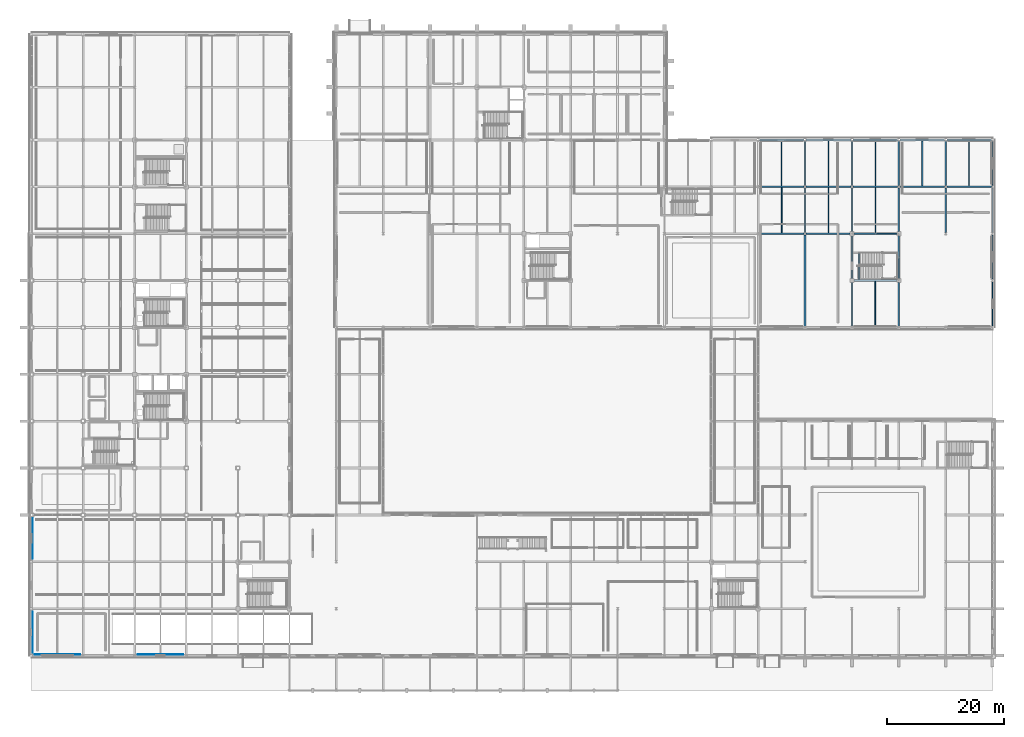
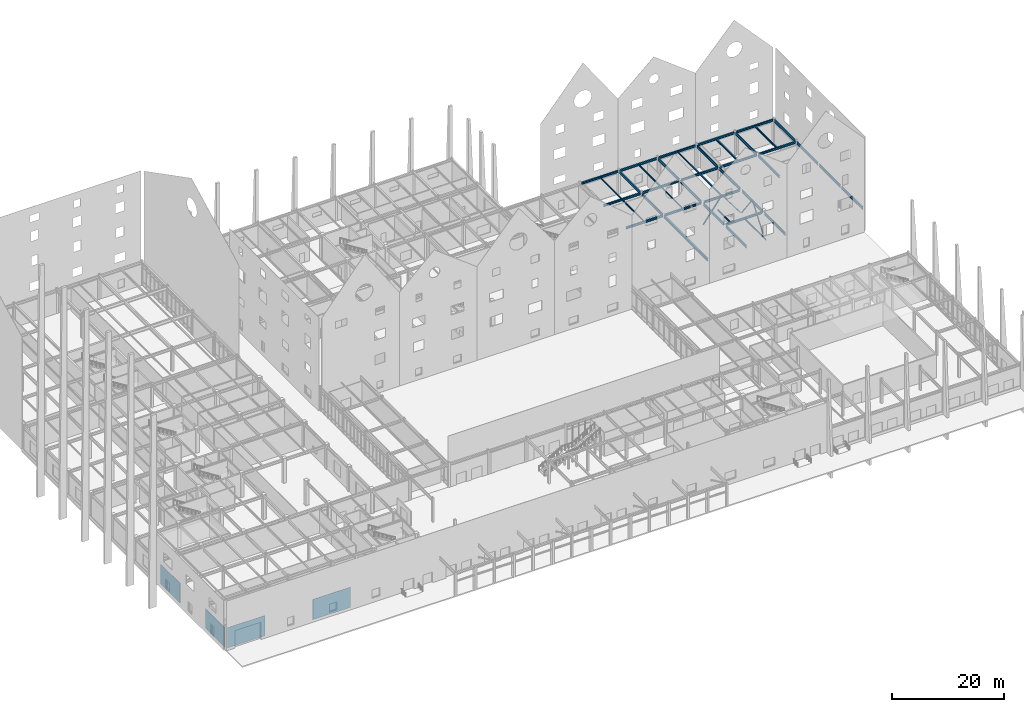
# One storey, part 52 of 119: 41 beams, 4 members, 4 plates.
"""IFC4 building model written with IfcOpenShell, lengths in metres."""

from ifc_helpers import new_model, si_unit, direction, frame, origin, origin_2d, place, context, subcontext, project, spatial, rectangle, hollow_rectangle, i_section, extrude, material, layer, layer_set, material_profile, profile_set, type_object, element, save


model = new_model("IFC4")

# Units and contexts
model_context = context("Model", 3, precision=1e-05, world=origin(), true_north=direction((0.0, 1.0)))
body_context = subcontext(model_context, "Body", "Model", "MODEL_VIEW")
ifc_project = project(units=[si_unit("LENGTHUNIT", "METRE"), si_unit("AREAUNIT", "SQUARE_METRE"), si_unit("VOLUMEUNIT", "CUBIC_METRE"), si_unit("PLANEANGLEUNIT", "RADIAN"), si_unit("MASSUNIT", "GRAM", prefix="KILO")], contexts=[model_context])

# Site, building, storey
site_placement = place(None, origin())
site = spatial("IfcSite", under=ifc_project, at=site_placement, CompositionType="ELEMENT")
building_placement = place(site_placement, origin())
building = spatial("IfcBuilding", under=site, at=building_placement, Name="Zhaolan Boulevard Law Courts", CompositionType="ELEMENT")
storey_placement = place(building_placement, origin())
storey = spatial("IfcBuildingStorey", under=building, at=storey_placement, Name="L00", CompositionType="ELEMENT", Elevation=0.0)

# Members
ifc_material_1 = material(Name="Structural steel Q355B", Category="steel")
ifc_material_profile_1 = material_profile(ifc_material_1, hollow_rectangle(XDim=0.179931640625, YDim=0.179931640625, WallThickness=0.008056640625, InnerFilletRadius=0.008056640625, OuterFilletRadius=0.01611328125, at=origin_2d()), Name="HSS180x180x8")
ifc_profile_set_1 = profile_set([ifc_material_profile_1], Name="Structural steel Q355B")
member_type_1 = type_object("IfcMemberType", Name="BRACE HSS180", PredefinedType="BRACE", material=ifc_profile_set_1)
member_1_placement = place(storey_placement, frame((148.0, 77.820068359375, 0.030029296875), z_axis=(0.0, -0.600251625626, 0.799811218935), x_axis=(1.0, 0.0, 0.0)))
element("IfcMember", 1, at=member_1_placement, inside=storey, type_object=member_type_1, Name="Core Brace BR-T2-L00-E2", PredefinedType="BRACE", context=body_context, shape_type="SweptSolid", body=[
    extrude(hollow_rectangle(XDim=0.179931640625, YDim=0.179931640625, WallThickness=0.008056640625, InnerFilletRadius=0.008056640625, OuterFilletRadius=0.01611328125, at=origin_2d()), origin(), (0.0, 0.0, 1.0), 6.364013671875),
])
ifc_material_2 = material(Name="Structural steel Q355B", Category="steel")
ifc_material_profile_2 = material_profile(ifc_material_2, hollow_rectangle(XDim=0.199951171875, YDim=0.199951171875, WallThickness=0.010009765625, InnerFilletRadius=0.010009765625, OuterFilletRadius=0.02001953125, at=origin_2d()), Name="HSS200x200x10")
ifc_profile_set_2 = profile_set([ifc_material_profile_2], Name="Structural steel Q355B")
member_type_2 = type_object("IfcMemberType", Name="BRACE HSS200", PredefinedType="BRACE", material=ifc_profile_set_2)
for number, where, z_axis, x_axis, name in (
    (2, (147.820068359375, 78.0, 0.030029296875), (-0.600251625626, 0.0, 0.799811218935), (0.0, -1.0, 0.0), "Core Brace BR-T2-L00-N2"),
    (3, (148.0, 70.179931640625, 0.030029296875), (0.0, 0.600251625626, 0.799811218935), (-1.0, 0.0, 0.0), "Core Brace BR-T2-L00-E1"),
):
    element("IfcMember", number, at=place(storey_placement, frame(where, z_axis=z_axis, x_axis=x_axis)), inside=storey, type_object=member_type_2, Name=name, PredefinedType="BRACE", context=body_context, shape_type="SweptSolid", body=[
        extrude(hollow_rectangle(XDim=0.199951171875, YDim=0.199951171875, WallThickness=0.010009765625, InnerFilletRadius=0.010009765625, OuterFilletRadius=0.02001953125, at=origin_2d()), origin(), (0.0, 0.0, 1.0), 6.364013671875),
    ])
ifc_material_3 = material(Name="Structural steel Q355B", Category="steel")
ifc_material_profile_3 = material_profile(ifc_material_3, hollow_rectangle(XDim=0.219970703125, YDim=0.219970703125, WallThickness=0.010009765625, InnerFilletRadius=0.010009765625, OuterFilletRadius=0.02001953125, at=origin_2d()), Name="HSS220x220x10")
ifc_profile_set_3 = profile_set([ifc_material_profile_3], Name="Structural steel Q355B")
member_type_3 = type_object("IfcMemberType", Name="BRACE HSS220", PredefinedType="BRACE", material=ifc_profile_set_3)
member_2_placement = place(storey_placement, frame((140.179931640625, 78.0, 0.030029296875), z_axis=(0.600251625626, 0.0, 0.799811218935), x_axis=(0.0, 1.0, 0.0)))
element("IfcMember", 4, at=member_2_placement, inside=storey, type_object=member_type_3, Name="Core Brace BR-T2-L00-N1", PredefinedType="BRACE", context=body_context, shape_type="SweptSolid", body=[
    extrude(hollow_rectangle(XDim=0.219970703125, YDim=0.219970703125, WallThickness=0.010009765625, InnerFilletRadius=0.010009765625, OuterFilletRadius=0.02001953125, at=origin_2d()), origin(), (0.0, 0.0, 1.0), 6.364013671875),
])

# Beams
ifc_material_4 = material(Name="Structural steel Q355B", Category="steel")
ifc_material_profile_4 = material_profile(ifc_material_4, i_section(OverallWidth=0.300048828125, OverallDepth=0.43994140625, WebThickness=0.010986328125, FlangeThickness=0.01806640625, FilletRadius=0.02001953125, at=origin_2d()), Name="HM440x300")
ifc_profile_set_4 = profile_set([ifc_material_profile_4], Name="Structural steel Q355B")
beam_type_1 = type_object("IfcBeamType", Name="GIRDER HM440", PredefinedType="BEAM", material=ifc_profile_set_4)
beam_1_placement = place(storey_placement, frame((140.345947265625, 70.0, 4.89794921875), z_axis=(1.0, 0.0, 0.0), x_axis=(0.0, 1.0, 0.0)))
element("IfcBeam", 5, at=beam_1_placement, inside=storey, type_object=beam_type_1, Name="Beam BX-L01-18-19-K", PredefinedType="BEAM", context=body_context, shape_type="SweptSolid", body=[
    extrude(i_section(OverallWidth=0.300048828125, OverallDepth=0.43994140625, WebThickness=0.010986328125, FlangeThickness=0.01806640625, FilletRadius=0.02001953125, at=origin_2d()), origin(), (0.0, 0.0, 1.0), 7.30810546875),
])
beam_2_placement = place(storey_placement, frame((124.196044921875, 78.0, 4.89794921875), z_axis=(1.0, 0.0, 0.0), x_axis=(0.0, 1.0, 0.0)))
element("IfcBeam", 6, at=beam_2_placement, inside=storey, type_object=beam_type_1, Name="Beam BX-L01-16-17-L", PredefinedType="BEAM", context=body_context, shape_type="SweptSolid", body=[
    extrude(i_section(OverallWidth=0.300048828125, OverallDepth=0.43994140625, WebThickness=0.010986328125, FlangeThickness=0.01806640625, FilletRadius=0.02001953125, at=origin_2d()), origin(), (0.0, 0.0, 1.0), 7.60791015625),
])
beam_3_placement = place(storey_placement, frame((132.196044921875, 78.0, 4.89794921875), z_axis=(1.0, 0.0, 0.0), x_axis=(0.0, 1.0, 0.0)))
element("IfcBeam", 7, at=beam_3_placement, inside=storey, type_object=beam_type_1, Name="Beam BX-L01-17-18-L", PredefinedType="BEAM", context=body_context, shape_type="SweptSolid", body=[
    extrude(i_section(OverallWidth=0.300048828125, OverallDepth=0.43994140625, WebThickness=0.010986328125, FlangeThickness=0.01806640625, FilletRadius=0.02001953125, at=origin_2d()), origin(), (0.0, 0.0, 1.0), 7.4580078125),
])
beam_4_placement = place(storey_placement, frame((140.345947265625, 78.0, 4.89794921875), z_axis=(1.0, 0.0, 0.0), x_axis=(0.0, 1.0, 0.0)))
element("IfcBeam", 8, at=beam_4_placement, inside=storey, type_object=beam_type_1, Name="Beam BX-L01-18-19-L", PredefinedType="BEAM", context=body_context, shape_type="SweptSolid", body=[
    extrude(i_section(OverallWidth=0.300048828125, OverallDepth=0.43994140625, WebThickness=0.010986328125, FlangeThickness=0.01806640625, FilletRadius=0.02001953125, at=origin_2d()), origin(), (0.0, 0.0, 1.0), 7.30810546875),
])
for number, where, z_axis, x_axis, name in (
    (9, (124.196044921875, 86.0, 4.89794921875), (1.0, 0.0, 0.0), (0.0, 1.0, 0.0), "Beam BX-L01-16-17-M"),
    (10, (132.196044921875, 86.0, 4.89794921875), (1.0, 0.0, 0.0), (0.0, 1.0, 0.0), "Beam BX-L01-17-18-M"),
    (11, (140.196044921875, 86.0, 4.89794921875), (1.0, 0.0, 0.0), (0.0, 1.0, 0.0), "Beam BX-L01-18-19-M"),
    (12, (148.196044921875, 86.0, 4.89794921875), (1.0, 0.0, 0.0), (0.0, 1.0, 0.0), "Beam BX-L01-19-20-M"),
    (13, (156.196044921875, 86.0, 4.89794921875), (1.0, 0.0, 0.0), (0.0, 1.0, 0.0), "Beam BX-L01-20-21-M"),
    (14, (124.196044921875, 94.0, 4.89794921875), (1.0, 0.0, 0.0), (0.0, 1.0, 0.0), "Beam BX-L01-16-17-N"),
    (15, (132.196044921875, 94.0, 4.89794921875), (1.0, 0.0, 0.0), (0.0, 1.0, 0.0), "Beam BX-L01-17-18-N"),
    (16, (140.196044921875, 94.0, 4.89794921875), (1.0, 0.0, 0.0), (0.0, 1.0, 0.0), "Beam BX-L01-18-19-N"),
    (17, (148.196044921875, 94.0, 4.89794921875), (1.0, 0.0, 0.0), (0.0, 1.0, 0.0), "Beam BX-L01-19-20-N"),
    (18, (156.196044921875, 94.0, 4.89794921875), (1.0, 0.0, 0.0), (0.0, 1.0, 0.0), "Beam BX-L01-20-21-N"),
):
    element("IfcBeam", number, at=place(storey_placement, frame(where, z_axis=z_axis, x_axis=x_axis)), inside=storey, type_object=beam_type_1, Name=name, PredefinedType="BEAM", context=body_context, shape_type="SweptSolid", body=[
        extrude(i_section(OverallWidth=0.300048828125, OverallDepth=0.43994140625, WebThickness=0.010986328125, FlangeThickness=0.01806640625, FilletRadius=0.02001953125, at=origin_2d()), origin(), (0.0, 0.0, 1.0), 7.60791015625),
    ])
ifc_material_5 = material(Name="Structural steel Q390B", Category="steel")
ifc_material_profile_5 = material_profile(ifc_material_5, i_section(OverallWidth=0.300048828125, OverallDepth=0.587890625, WebThickness=0.011962890625, FlangeThickness=0.02001953125, FilletRadius=0.02392578125, at=origin_2d()), Name="HM588x300")
ifc_profile_set_5 = profile_set([ifc_material_profile_5], Name="Structural steel Q390B")
beam_type_2 = type_object("IfcBeamType", Name="GIRDER HM588", PredefinedType="BEAM", material=ifc_profile_set_5)
beam_5_placement = place(storey_placement, frame((132.0, 62.196044921875, 4.823974609375), z_axis=(0.0, 1.0, 0.0), x_axis=(-1.0, 0.0, 0.0)))
element("IfcBeam", 19, at=beam_5_placement, inside=storey, type_object=beam_type_2, Name="Beam BY-L01-17-J-L", PredefinedType="BEAM", context=body_context, shape_type="SweptSolid", body=[
    extrude(i_section(OverallWidth=0.300048828125, OverallDepth=0.587890625, WebThickness=0.011962890625, FlangeThickness=0.02001953125, FilletRadius=0.02392578125, at=origin_2d()), origin(), (0.0, 0.0, 1.0), 15.60791015625),
])
ifc_material_6 = material(Name="Structural steel Q355B", Category="steel")
ifc_material_profile_6 = material_profile(ifc_material_6, i_section(OverallWidth=0.199951171875, OverallDepth=0.60009765625, WebThickness=0.010986328125, FlangeThickness=0.01708984375, FilletRadius=0.02001953125, at=origin_2d()), Name="HN600x200")
ifc_profile_set_6 = profile_set([ifc_material_profile_6], Name="Structural steel Q355B")
beam_type_3 = type_object("IfcBeamType", Name="GIRDER HN600", PredefinedType="BEAM", material=ifc_profile_set_6)
for number, where, z_axis, x_axis, name in (
    (20, (132.0, 78.196044921875, 4.818115234375), (0.0, 1.0, 0.0), (-1.0, 0.0, 0.0), "Beam BY-L01-17-L-M"),
    (21, (132.0, 86.196044921875, 4.818115234375), (0.0, 1.0, 0.0), (-1.0, 0.0, 0.0), "Beam BY-L01-17-M-N"),
):
    element("IfcBeam", number, at=place(storey_placement, frame(where, z_axis=z_axis, x_axis=x_axis)), inside=storey, type_object=beam_type_3, Name=name, PredefinedType="BEAM", context=body_context, shape_type="SweptSolid", body=[
        extrude(i_section(OverallWidth=0.199951171875, OverallDepth=0.60009765625, WebThickness=0.010986328125, FlangeThickness=0.01708984375, FilletRadius=0.02001953125, at=origin_2d()), origin(), (0.0, 0.0, 1.0), 7.60791015625),
    ])
beam_6_placement = place(storey_placement, frame((140.0, 62.196044921875, 4.818115234375), z_axis=(0.0, 1.0, 0.0), x_axis=(-1.0, 0.0, 0.0)))
element("IfcBeam", 22, at=beam_6_placement, inside=storey, type_object=beam_type_3, Name="Beam BY-L01-18-J-K", PredefinedType="BEAM", context=body_context, shape_type="SweptSolid", body=[
    extrude(i_section(OverallWidth=0.199951171875, OverallDepth=0.60009765625, WebThickness=0.010986328125, FlangeThickness=0.01708984375, FilletRadius=0.02001953125, at=origin_2d()), origin(), (0.0, 0.0, 1.0), 7.4580078125),
])
beam_7_placement = place(storey_placement, frame((140.0, 70.345947265625, 4.818115234375), z_axis=(0.0, 1.0, 0.0), x_axis=(-1.0, 0.0, 0.0)))
element("IfcBeam", 23, at=beam_7_placement, inside=storey, type_object=beam_type_3, Name="Beam BY-L01-18-K-L", PredefinedType="BEAM", context=body_context, shape_type="SweptSolid", body=[
    extrude(i_section(OverallWidth=0.199951171875, OverallDepth=0.60009765625, WebThickness=0.010986328125, FlangeThickness=0.01708984375, FilletRadius=0.02001953125, at=origin_2d()), origin(), (0.0, 0.0, 1.0), 7.30810546875),
])
beam_8_placement = place(storey_placement, frame((140.0, 78.345947265625, 4.818115234375), z_axis=(0.0, 1.0, 0.0), x_axis=(-1.0, 0.0, 0.0)))
element("IfcBeam", 24, at=beam_8_placement, inside=storey, type_object=beam_type_3, Name="Beam BY-L01-18-L-M", PredefinedType="BEAM", context=body_context, shape_type="SweptSolid", body=[
    extrude(i_section(OverallWidth=0.199951171875, OverallDepth=0.60009765625, WebThickness=0.010986328125, FlangeThickness=0.01708984375, FilletRadius=0.02001953125, at=origin_2d()), origin(), (0.0, 0.0, 1.0), 7.4580078125),
])
beam_9_placement = place(storey_placement, frame((140.0, 86.196044921875, 4.818115234375), z_axis=(0.0, 1.0, 0.0), x_axis=(-1.0, 0.0, 0.0)))
element("IfcBeam", 25, at=beam_9_placement, inside=storey, type_object=beam_type_3, Name="Beam BY-L01-18-M-N", PredefinedType="BEAM", context=body_context, shape_type="SweptSolid", body=[
    extrude(i_section(OverallWidth=0.199951171875, OverallDepth=0.60009765625, WebThickness=0.010986328125, FlangeThickness=0.01708984375, FilletRadius=0.02001953125, at=origin_2d()), origin(), (0.0, 0.0, 1.0), 7.60791015625),
])
beam_10_placement = place(storey_placement, frame((148.0, 62.196044921875, 4.818115234375), z_axis=(0.0, 1.0, 0.0), x_axis=(-1.0, 0.0, 0.0)))
element("IfcBeam", 26, at=beam_10_placement, inside=storey, type_object=beam_type_3, Name="Beam BY-L01-19-J-K", PredefinedType="BEAM", context=body_context, shape_type="SweptSolid", body=[
    extrude(i_section(OverallWidth=0.199951171875, OverallDepth=0.60009765625, WebThickness=0.010986328125, FlangeThickness=0.01708984375, FilletRadius=0.02001953125, at=origin_2d()), origin(), (0.0, 0.0, 1.0), 7.4580078125),
])
beam_11_placement = place(storey_placement, frame((148.0, 70.345947265625, 4.818115234375), z_axis=(0.0, 1.0, 0.0), x_axis=(-1.0, 0.0, 0.0)))
element("IfcBeam", 27, at=beam_11_placement, inside=storey, type_object=beam_type_3, Name="Beam BY-L01-19-K-L", PredefinedType="BEAM", context=body_context, shape_type="SweptSolid", body=[
    extrude(i_section(OverallWidth=0.199951171875, OverallDepth=0.60009765625, WebThickness=0.010986328125, FlangeThickness=0.01708984375, FilletRadius=0.02001953125, at=origin_2d()), origin(), (0.0, 0.0, 1.0), 7.30810546875),
])
beam_12_placement = place(storey_placement, frame((148.0, 78.345947265625, 4.818115234375), z_axis=(0.0, 1.0, 0.0), x_axis=(-1.0, 0.0, 0.0)))
element("IfcBeam", 28, at=beam_12_placement, inside=storey, type_object=beam_type_3, Name="Beam BY-L01-19-L-M", PredefinedType="BEAM", context=body_context, shape_type="SweptSolid", body=[
    extrude(i_section(OverallWidth=0.199951171875, OverallDepth=0.60009765625, WebThickness=0.010986328125, FlangeThickness=0.01708984375, FilletRadius=0.02001953125, at=origin_2d()), origin(), (0.0, 0.0, 1.0), 7.4580078125),
])
for number, where, z_axis, x_axis, name in (
    (29, (148.0, 86.196044921875, 4.818115234375), (0.0, 1.0, 0.0), (-1.0, 0.0, 0.0), "Beam BY-L01-19-M-N"),
    (30, (156.0, 78.196044921875, 4.818115234375), (0.0, 1.0, 0.0), (-1.0, 0.0, 0.0), "Beam BY-L01-20-L-M"),
    (31, (156.0, 86.196044921875, 4.818115234375), (0.0, 1.0, 0.0), (-1.0, 0.0, 0.0), "Beam BY-L01-20-M-N"),
    (32, (164.0, 62.196044921875, 4.818115234375), (0.0, 1.0, 0.0), (-1.0, 0.0, 0.0), "Beam BY-L01-21-J-K"),
    (33, (164.0, 70.196044921875, 4.818115234375), (0.0, 1.0, 0.0), (-1.0, 0.0, 0.0), "Beam BY-L01-21-K-L"),
    (34, (164.0, 78.196044921875, 4.818115234375), (0.0, 1.0, 0.0), (-1.0, 0.0, 0.0), "Beam BY-L01-21-L-M"),
    (35, (164.0, 86.196044921875, 4.818115234375), (0.0, 1.0, 0.0), (-1.0, 0.0, 0.0), "Beam BY-L01-21-M-N"),
):
    element("IfcBeam", number, at=place(storey_placement, frame(where, z_axis=z_axis, x_axis=x_axis)), inside=storey, type_object=beam_type_3, Name=name, PredefinedType="BEAM", context=body_context, shape_type="SweptSolid", body=[
        extrude(i_section(OverallWidth=0.199951171875, OverallDepth=0.60009765625, WebThickness=0.010986328125, FlangeThickness=0.01708984375, FilletRadius=0.02001953125, at=origin_2d()), origin(), (0.0, 0.0, 1.0), 7.60791015625),
    ])
ifc_material_7 = material(Name="Structural steel Q355B", Category="steel")
ifc_material_profile_7 = material_profile(ifc_material_7, i_section(OverallWidth=0.175048828125, OverallDepth=0.243896484375, WebThickness=0.007080078125, FlangeThickness=0.010986328125, FilletRadius=0.012939453125, at=origin_2d()), Name="HM244x175")
ifc_profile_set_7 = profile_set([ifc_material_profile_7], Name="Structural steel Q355B")
beam_type_4 = type_object("IfcBeamType", Name="JOIST HM244", PredefinedType="JOIST", material=ifc_profile_set_7)
beam_13_placement = place(storey_placement, frame((144.0, 86.14599609375, 4.99609375), z_axis=(0.0, 1.0, 0.0), x_axis=(-1.0, 0.0, 0.0)))
element("IfcBeam", 36, at=beam_13_placement, inside=storey, type_object=beam_type_4, Name="Composite Joist J-L01-18M", PredefinedType="JOIST", context=body_context, shape_type="SweptSolid", body=[
    extrude(i_section(OverallWidth=0.175048828125, OverallDepth=0.243896484375, WebThickness=0.007080078125, FlangeThickness=0.010986328125, FilletRadius=0.012939453125, at=origin_2d()), origin(), (0.0, 0.0, 1.0), 7.7080078125),
])
ifc_material_8 = material(Name="Structural steel Q355B", Category="steel")
ifc_material_profile_8 = material_profile(ifc_material_8, i_section(OverallWidth=0.199951171875, OverallDepth=0.2939453125, WebThickness=0.008056640625, FlangeThickness=0.011962890625, FilletRadius=0.01611328125, at=origin_2d()), Name="HM294x200")
ifc_profile_set_8 = profile_set([ifc_material_profile_8], Name="Structural steel Q355B")
beam_type_5 = type_object("IfcBeamType", Name="JOIST HM294", PredefinedType="JOIST", material=ifc_profile_set_8)
for number, where, z_axis, x_axis, name in (
    (37, (136.0, 86.14599609375, 4.970947265625), (0.0, 1.0, 0.0), (-1.0, 0.0, 0.0), "Composite Joist J-L01-17M"),
    (38, (144.0, 78.14599609375, 4.970947265625), (0.0, 1.0, 0.0), (-1.0, 0.0, 0.0), "Composite Joist J-L01-18L"),
):
    element("IfcBeam", number, at=place(storey_placement, frame(where, z_axis=z_axis, x_axis=x_axis)), inside=storey, type_object=beam_type_5, Name=name, PredefinedType="JOIST", context=body_context, shape_type="SweptSolid", body=[
        extrude(i_section(OverallWidth=0.199951171875, OverallDepth=0.2939453125, WebThickness=0.008056640625, FlangeThickness=0.011962890625, FilletRadius=0.01611328125, at=origin_2d()), origin(), (0.0, 0.0, 1.0), 7.7080078125),
    ])
ifc_material_9 = material(Name="Structural steel Q355B", Category="steel")
ifc_material_profile_9 = material_profile(ifc_material_9, i_section(OverallWidth=0.125, OverallDepth=0.25, WebThickness=0.006103515625, FlangeThickness=0.009033203125, FilletRadius=0.010009765625, at=origin_2d()), Name="HN250x125")
ifc_profile_set_9 = profile_set([ifc_material_profile_9], Name="Structural steel Q355B")
beam_type_6 = type_object("IfcBeamType", Name="JOIST HN250", PredefinedType="JOIST", material=ifc_profile_set_9)
for number, where, z_axis, x_axis, name in (
    (39, (128.0, 86.14599609375, 4.992919921875), (0.0, 1.0, 0.0), (-1.0, 0.0, 0.0), "Composite Joist J-L01-16M"),
    (40, (136.0, 78.14599609375, 4.992919921875), (0.0, 1.0, 0.0), (-1.0, 0.0, 0.0), "Composite Joist J-L01-17L"),
):
    element("IfcBeam", number, at=place(storey_placement, frame(where, z_axis=z_axis, x_axis=x_axis)), inside=storey, type_object=beam_type_6, Name=name, PredefinedType="JOIST", context=body_context, shape_type="SweptSolid", body=[
        extrude(i_section(OverallWidth=0.125, OverallDepth=0.25, WebThickness=0.006103515625, FlangeThickness=0.009033203125, FilletRadius=0.010009765625, at=origin_2d()), origin(), (0.0, 0.0, 1.0), 7.7080078125),
    ])
ifc_material_10 = material(Name="Structural steel Q355B", Category="steel")
ifc_material_profile_10 = material_profile(ifc_material_10, i_section(OverallWidth=0.14990234375, OverallDepth=0.300048828125, WebThickness=0.006591796875, FlangeThickness=0.009033203125, FilletRadius=0.010986328125, at=origin_2d()), Name="HN300x150")
ifc_profile_set_10 = profile_set([ifc_material_profile_10], Name="Structural steel Q355B")
beam_type_7 = type_object("IfcBeamType", Name="JOIST HN300", PredefinedType="JOIST", material=ifc_profile_set_10)
for number, where, z_axis, x_axis, name in (
    (41, (128.0, 78.14599609375, 4.968017578125), (0.0, 1.0, 0.0), (-1.0, 0.0, 0.0), "Composite Joist J-L01-16L"),
    (42, (144.0, 62.14599609375, 4.968017578125), (0.0, 1.0, 0.0), (-1.0, 0.0, 0.0), "Composite Joist J-L01-18J"),
):
    element("IfcBeam", number, at=place(storey_placement, frame(where, z_axis=z_axis, x_axis=x_axis)), inside=storey, type_object=beam_type_7, Name=name, PredefinedType="JOIST", context=body_context, shape_type="SweptSolid", body=[
        extrude(i_section(OverallWidth=0.14990234375, OverallDepth=0.300048828125, WebThickness=0.006591796875, FlangeThickness=0.009033203125, FilletRadius=0.010986328125, at=origin_2d()), origin(), (0.0, 0.0, 1.0), 7.7080078125),
    ])
ifc_material_11 = material(Name="Structural steel Q355B", Category="steel")
ifc_material_profile_11 = material_profile(ifc_material_11, i_section(OverallWidth=0.175048828125, OverallDepth=0.35009765625, WebThickness=0.007080078125, FlangeThickness=0.010986328125, FilletRadius=0.012939453125, at=origin_2d()), Name="HN350x175")
ifc_profile_set_11 = profile_set([ifc_material_profile_11], Name="Structural steel Q355B")
beam_type_8 = type_object("IfcBeamType", Name="JOIST HN350", PredefinedType="JOIST", material=ifc_profile_set_11)
beam_14_placement = place(storey_placement, frame((160.0, 86.14599609375, 4.943115234375), z_axis=(0.0, 1.0, 0.0), x_axis=(-1.0, 0.0, 0.0)))
element("IfcBeam", 43, at=beam_14_placement, inside=storey, type_object=beam_type_8, Name="Composite Joist J-L01-20M", PredefinedType="JOIST", context=body_context, shape_type="SweptSolid", body=[
    extrude(i_section(OverallWidth=0.175048828125, OverallDepth=0.35009765625, WebThickness=0.007080078125, FlangeThickness=0.010986328125, FilletRadius=0.012939453125, at=origin_2d()), origin(), (0.0, 0.0, 1.0), 7.7080078125),
])
ifc_material_12 = material(Name="Structural steel Q355B", Category="steel")
ifc_material_profile_12 = material_profile(ifc_material_12, i_section(OverallWidth=0.199951171875, OverallDepth=0.39990234375, WebThickness=0.008056640625, FlangeThickness=0.012939453125, FilletRadius=0.013916015625, at=origin_2d()), Name="HN400x200")
ifc_profile_set_12 = profile_set([ifc_material_profile_12], Name="Structural steel Q355B")
beam_type_9 = type_object("IfcBeamType", Name="JOIST HN400", PredefinedType="JOIST", material=ifc_profile_set_12)
beam_15_placement = place(storey_placement, frame((152.0, 86.14599609375, 4.91796875), z_axis=(0.0, 1.0, 0.0), x_axis=(-1.0, 0.0, 0.0)))
element("IfcBeam", 44, at=beam_15_placement, inside=storey, type_object=beam_type_9, Name="Composite Joist J-L01-19M", PredefinedType="JOIST", context=body_context, shape_type="SweptSolid", body=[
    extrude(i_section(OverallWidth=0.199951171875, OverallDepth=0.39990234375, WebThickness=0.008056640625, FlangeThickness=0.012939453125, FilletRadius=0.013916015625, at=origin_2d()), origin(), (0.0, 0.0, 1.0), 7.7080078125),
])
ifc_material_13 = material(Name="Structural steel Q355B", Category="steel")
ifc_material_profile_13 = material_profile(ifc_material_13, i_section(OverallWidth=0.175048828125, OverallDepth=0.35009765625, WebThickness=0.007080078125, FlangeThickness=0.010986328125, FilletRadius=0.012939453125, at=origin_2d()), Name="HN350x175")
ifc_profile_set_13 = profile_set([ifc_material_profile_13], Name="Structural steel Q355B")
beam_type_10 = type_object("IfcBeamType", Name="STAIR TRIMMER HN350", PredefinedType="BEAM", material=ifc_profile_set_13)
beam_16_placement = place(storey_placement, frame((141.235107421875, 70.1650390625, 4.93505859375), z_axis=(0.0, 1.0, 0.0), x_axis=(-1.0, 0.0, 0.0)))
element("IfcBeam", 45, at=beam_16_placement, inside=storey, type_object=beam_type_10, Name="Stair Landing Trimmer Beam STB-ST09-L01", PredefinedType="BEAM", context=body_context, shape_type="SweptSolid", body=[
    extrude(i_section(OverallWidth=0.175048828125, OverallDepth=0.35009765625, WebThickness=0.007080078125, FlangeThickness=0.010986328125, FilletRadius=0.012939453125, at=origin_2d()), origin(), (0.0, 0.0, 1.0), 4.544921875),
])

# Plates
ifc_material_14 = material(Name="Pale mist-grey standing-seam Al-Mg-Mn zinc-titanium")
ifc_layer_1 = layer(ifc_material_14, 0.0400390625)
ifc_layer_set_1 = layer_set([ifc_layer_1])
plate_type_1 = type_object("IfcPlateType", Name="STANDING SEAM PLATE 40", PredefinedType="SHEET", material=ifc_layer_set_1)
plate_1_placement = place(storey_placement, frame((4.39990234375, 6.179931640625, 0.099365234375), z_axis=(0.0, 0.0, 1.0), x_axis=(1.0, 0.0, 0.0)))
element("IfcPlate", 46, at=plate_1_placement, inside=storey, type_object=plate_type_1, Name="Standing-Seam Metal Wall Cladding SSP-L00-120", PredefinedType="SHEET", context=body_context, shape_type="SweptSolid", body=[
    extrude(rectangle(XDim=7.760009765625, YDim=0.0400390625, at=origin_2d()), origin(), (0.0, 0.0, 1.0), 4.43505859375),
])
ifc_material_15 = material(Name="Pale mist-grey standing-seam Al-Mg-Mn zinc-titanium")
ifc_layer_2 = layer(ifc_material_15, 0.050048828125)
ifc_layer_set_2 = layer_set([ifc_layer_2])
plate_type_2 = type_object("IfcPlateType", Name="STANDING SEAM PLATE 50", PredefinedType="SHEET", material=ifc_layer_set_2)
plate_2_placement = place(storey_placement, frame((22.0, 6.18505859375, 0.099365234375), z_axis=(0.0, 0.0, 1.0), x_axis=(1.0, 0.0, 0.0)))
element("IfcPlate", 47, at=plate_2_placement, inside=storey, type_object=plate_type_2, Name="Standing-Seam Metal Wall Cladding SSP-L00-122", PredefinedType="SHEET", context=body_context, shape_type="SweptSolid", body=[
    extrude(rectangle(XDim=7.760009765625, YDim=0.050048828125, at=origin_2d()), origin(), (0.0, 0.0, 1.0), 4.43505859375),
])
plate_3_placement = place(storey_placement, frame((0.18505859375, 10.0, 0.099609375), z_axis=(0.0, 0.0, 1.0), x_axis=(0.0, -1.0, 0.0)))
element("IfcPlate", 48, at=plate_3_placement, inside=storey, type_object=plate_type_2, Name="Standing-Seam Metal Wall Cladding SSP-L00-140", PredefinedType="SHEET", context=body_context, shape_type="SweptSolid", body=[
    extrude(rectangle(XDim=6.9599609375, YDim=0.050048828125, at=origin_2d()), origin(), (0.0, 0.0, 1.0), 4.322998046875),
])
ifc_material_16 = material(Name="Pale mist-grey standing-seam Al-Mg-Mn zinc-titanium")
ifc_layer_3 = layer(ifc_material_16, 0.06005859375)
ifc_layer_set_3 = layer_set([ifc_layer_3])
plate_type_3 = type_object("IfcPlateType", Name="STANDING SEAM PLATE 60", PredefinedType="SHEET", material=ifc_layer_set_3)
plate_4_placement = place(storey_placement, frame((0.18994140625, 26.0, 0.099609375), z_axis=(0.0, 0.0, 1.0), x_axis=(0.0, -1.0, 0.0)))
element("IfcPlate", 49, at=plate_4_placement, inside=storey, type_object=plate_type_3, Name="Standing-Seam Metal Wall Cladding SSP-L00-142", PredefinedType="SHEET", context=body_context, shape_type="SweptSolid", body=[
    extrude(rectangle(XDim=6.9599609375, YDim=0.06005859375, at=origin_2d()), origin(), (0.0, 0.0, 1.0), 4.322998046875),
])

save(model, "model.ifc")
